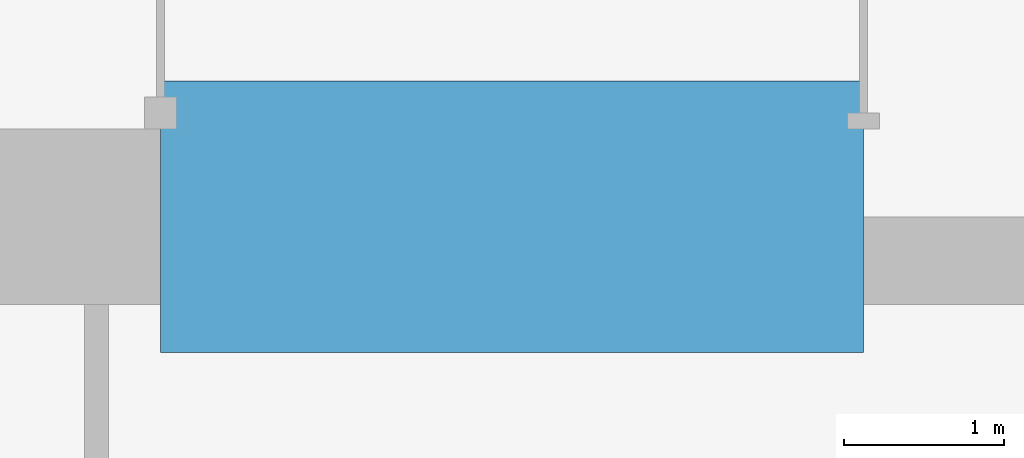
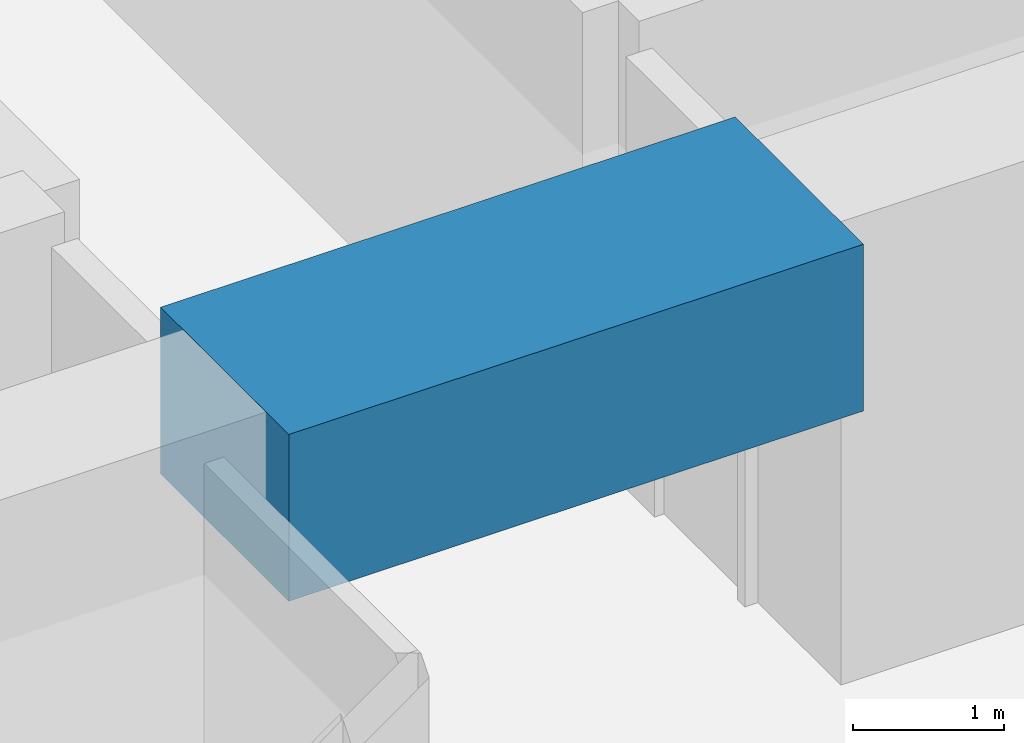
# One storey, part 13 of 44: 1 beam.
"""IFC4 building model written with IfcOpenShell, lengths in metres."""

from ifc_helpers import new_model, si_unit, direction, frame, origin, origin_2d, place, context, subcontext, project, spatial, rectangle, extrude, material, material_profile, profile_set, type_object, element, save


model = new_model("IFC4")

# Units and contexts
model_context = context("Model", 3, precision=1e-05, world=origin(), true_north=direction((0.0, 1.0)))
body_context = subcontext(model_context, "Body", "Model", "MODEL_VIEW")
ifc_project = project(units=[si_unit("LENGTHUNIT", "METRE"), si_unit("AREAUNIT", "SQUARE_METRE"), si_unit("VOLUMEUNIT", "CUBIC_METRE"), si_unit("PLANEANGLEUNIT", "RADIAN"), si_unit("MASSUNIT", "GRAM", prefix="KILO")], contexts=[model_context])

# Site, building, storey
site_placement = place(None, origin())
site = spatial("IfcSite", under=ifc_project, at=site_placement, CompositionType="ELEMENT")
building_placement = place(site_placement, origin())
building = spatial("IfcBuilding", under=site, at=building_placement, Name="Rekha Terrace Tower", CompositionType="ELEMENT")
storey_placement = place(building_placement, frame((0.0, 0.0, 47.89990234375)))
storey = spatial("IfcBuildingStorey", under=building, at=storey_placement, Name="L11", CompositionType="ELEMENT", Elevation=47.89990234375)

# Beam
ifc_material = material(Name="Concrete M70", Category="concrete")
ifc_material_profile = material_profile(ifc_material, rectangle(XDim=1.699951171875, YDim=1.35009765625, at=origin_2d()), Name="RC 1700x1350")
ifc_profile_set = profile_set([ifc_material_profile], Name="Concrete M70")
beam_type = type_object("IfcBeamType", Name="LB1A 1700x1350 diagonally reinforced coupling beam", PredefinedType="LINTEL", material=ifc_profile_set)
beam_placement = place(storey_placement, frame((35.60009765625, 21.0, 3.0751953125), z_axis=(1.0, 0.0, 0.0), x_axis=(0.0, 1.0, 0.0)))
element("IfcBeam", 1, at=beam_placement, inside=storey, type_object=beam_type, Name="Coupling beam LB1A S L11", PredefinedType="LINTEL", context=body_context, shape_type="SweptSolid", body=[
    extrude(rectangle(XDim=1.699951171875, YDim=1.35009765625, at=origin_2d()), origin(), (0.0, 0.0, 1.0), 4.39990234375),
])

save(model, "model.ifc")
